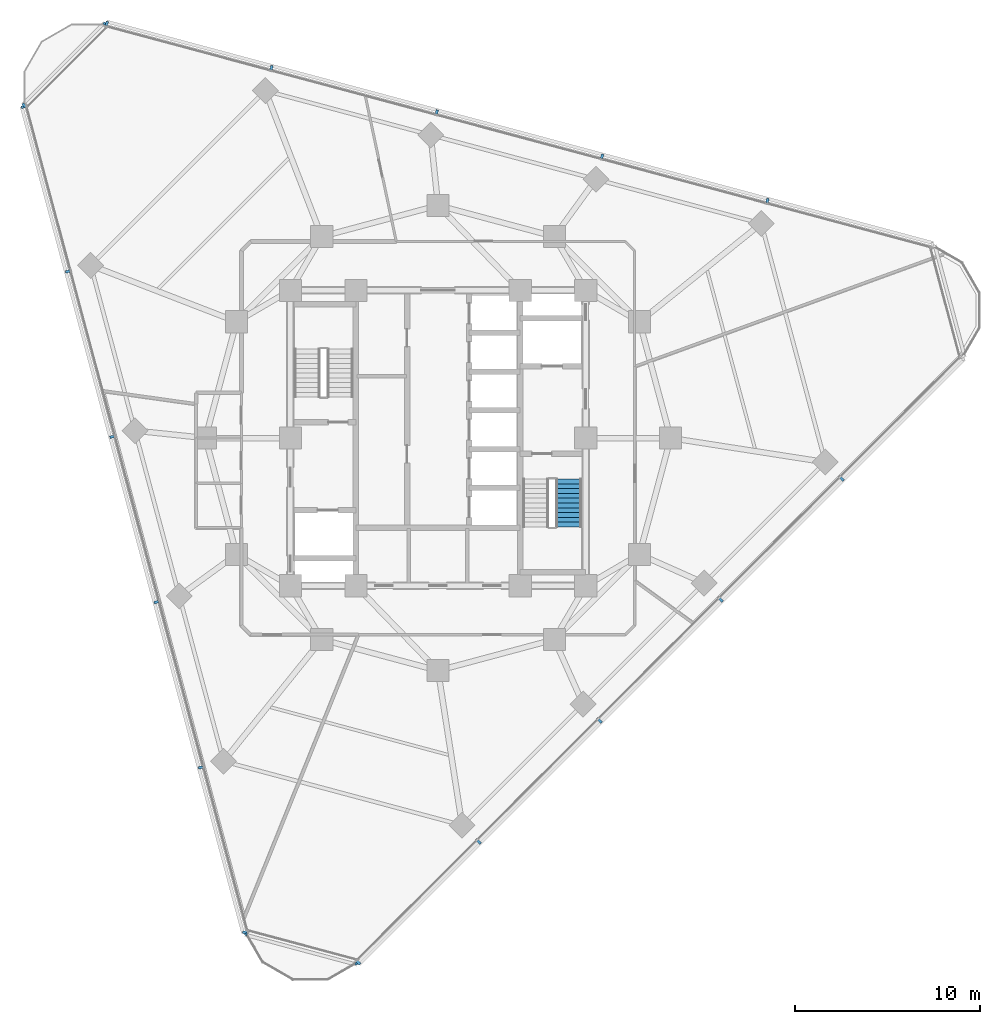
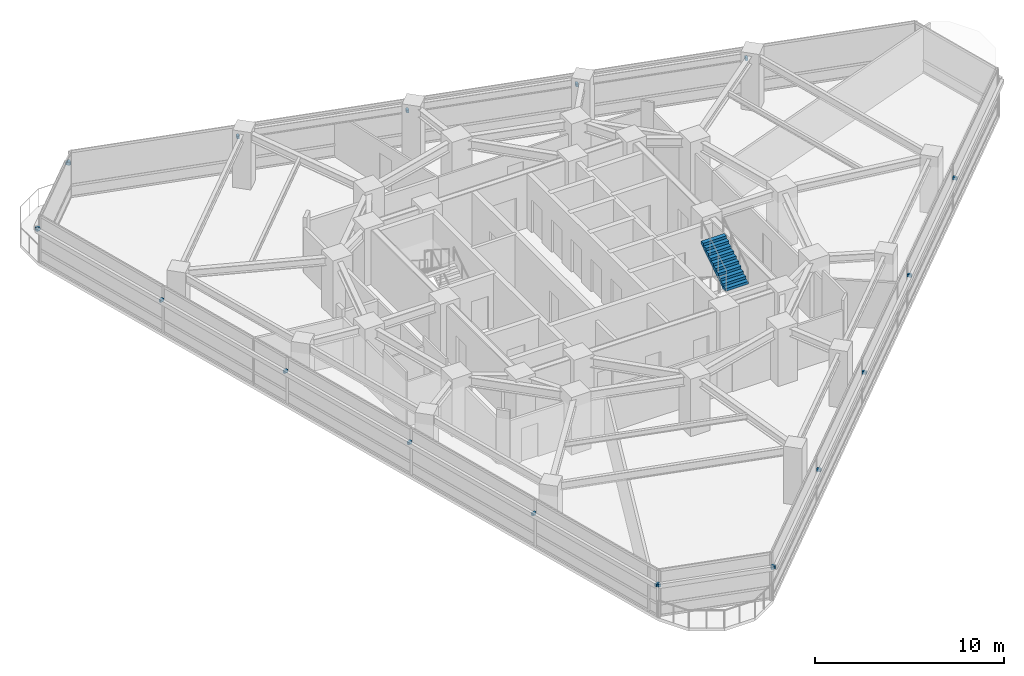
# One storey, part 9 of 13: 20 discrete accessories, 1 stair flight, 1 element without a shape of its own.
"""IFC4 building model written with IfcOpenShell, lengths in metres."""

from ifc_helpers import new_model, si_unit, direction, frame, origin, origin_2d, place, context, subcontext, project, spatial, polyline, rectangle, outline, extrude, material, type_object, element, aggregate, save


model = new_model("IFC4")

# Units and contexts
model_context = context("Model", 3, precision=1e-05, world=origin(), true_north=direction((0.0, 1.0)))
body_context = subcontext(model_context, "Body", "Model", "MODEL_VIEW")
ifc_project = project(units=[si_unit("LENGTHUNIT", "METRE"), si_unit("AREAUNIT", "SQUARE_METRE"), si_unit("VOLUMEUNIT", "CUBIC_METRE"), si_unit("PLANEANGLEUNIT", "RADIAN"), si_unit("MASSUNIT", "GRAM", prefix="KILO")], contexts=[model_context])

# Site, building, storey
site_placement = place(None, origin())
site = spatial("IfcSite", under=ifc_project, at=site_placement, CompositionType="ELEMENT")
building_placement = place(site_placement, origin())
building = spatial("IfcBuilding", under=site, at=building_placement, Name="Terralouvre Media Tower", CompositionType="ELEMENT")
storey_placement = place(building_placement, frame((0.0, 0.0, 202.699951171875)))
storey = spatial("IfcBuildingStorey", under=building, at=storey_placement, Name="L52", CompositionType="ELEMENT", Elevation=202.699951171875)

# Stair, stair flight
ifc_material_1 = material(Name="Concrete C45/55", Category="concrete")
stair_type = type_object("IfcStairType", Name="Dogleg Stair Assembly ST-02", PredefinedType="HALF_TURN_STAIR", material=ifc_material_1)
stair_placement = place(storey_placement, origin())
stair = element("IfcStair", 1, at=stair_placement, inside=storey, type_object=stair_type, Name="L52 Core Pressurised Exit Stair ST-02", PredefinedType="HALF_TURN_STAIR")
ifc_material_2 = material(Name="Concrete C45/55", Category="concrete")
stair_flight_type = type_object("IfcStairFlightType", Name="Reinforced Concrete Stair Flight SF-RC1", PredefinedType="STRAIGHT", material=ifc_material_2)
stair_flight_placement = place(storey_placement, frame((7.080078125, -4.820068359375, 1.85009765625), z_axis=(0.0, 0.0, 1.0), x_axis=(0.0, 1.0, 0.0)))
stair_flight = element("IfcStairFlight", 2, at=stair_flight_placement, type_object=stair_flight_type, Name="ST-02 flight 2", NumberOfRisers=11, NumberOfTreads=10, PredefinedType="STRAIGHT", RiserHeight=0.168181818, TreadLength=0.26, context=body_context, shape_type="SweptSolid", body=[
    extrude(outline(polyline([(0.0, 0.0), (0.0, 0.168212890625), (0.260009765625, 0.168212890625), (0.260009765625, 0.33642578125), (0.52001953125, 0.33642578125), (0.52001953125, 0.504638671875), (0.780029296875, 0.504638671875), (0.780029296875, 0.672607421875), (1.0400390625, 0.672607421875), (1.0400390625, 0.8408203125), (1.300048828125, 0.8408203125), (1.300048828125, 1.009033203125), (1.56005859375, 1.009033203125), (1.56005859375, 1.17724609375), (1.820068359375, 1.17724609375), (1.820068359375, 1.345458984375), (2.080078125, 1.345458984375), (2.080078125, 1.513671875), (2.340087890625, 1.513671875), (2.340087890625, 1.681884765625), (2.60009765625, 1.681884765625), (2.60009765625, 1.85009765625), (2.60009765625, 1.503173828125), (0.27587890625, 0.0), (0.0, 0.0)])), frame((0.0, 0.699951171875, 0.0), z_axis=(0.0, -1.0, 0.0), x_axis=(1.0, 0.0, 0.0)), (0.0, 0.0, 1.0), 1.39990234375),
])
aggregate(stair, [stair_flight])

# Discrete accessories
ifc_material_3 = material(Name="Anodised extruded aluminium 6063-T6", Category="aluminium")
discrete_accessory_type = type_object("IfcDiscreteAccessoryType", Name="Mullion Stand-Off Baguette Fixing Bracket BK-01", PredefinedType="BRACKET", material=ifc_material_3)
for number, where, z_axis, x_axis, name in (
    (3, (-4.31298828125, -28.41552734375, 2.07421875), (0.0, 0.0, 1.0), (0.707106781187, 0.707106781187, 0.0), "CW-L52-F0 Baguette Outrigger Bracket 1.01"),
    (4, (2.216796875, -21.8857421875, 2.07421875), (0.0, 0.0, 1.0), (0.707106781187, 0.707106781187, 0.0), "CW-L52-F0 Baguette Outrigger Bracket 1.02"),
    (5, (8.77294921875, -15.329345703125, 2.07421875), (0.0, 0.0, 1.0), (0.707106781187, 0.707106781187, 0.0), "CW-L52-F0 Baguette Outrigger Bracket 1.03"),
    (6, (15.329345703125, -8.77294921875, 2.07421875), (0.0, 0.0, 1.0), (0.707106781187, 0.707106781187, 0.0), "CW-L52-F0 Baguette Outrigger Bracket 1.04"),
    (7, (21.8857421875, -2.216796875, 2.07421875), (0.0, 0.0, 1.0), (0.707106781187, 0.707106781187, 0.0), "CW-L52-F0 Baguette Outrigger Bracket 1.05"),
    (8, (17.84521484375, 12.862548828125, 2.07421875), (0.0, 0.0, 1.0), (-0.96592582942, 0.25881903342, 0.0), "CW-L52-F1 Baguette Outrigger Bracket 1.02"),
    (9, (8.88916015625, 15.262451171875, 2.07421875), (0.0, 0.0, 1.0), (-0.96592582942, 0.25881903342, 0.0), "CW-L52-F1 Baguette Outrigger Bracket 1.03"),
    (10, (-0.06689453125, 17.662109375, 2.07421875), (0.0, 0.0, 1.0), (-0.96592582942, 0.25881903342, 0.0), "CW-L52-F1 Baguette Outrigger Bracket 1.04"),
    (11, (-9.02294921875, 20.06201171875, 2.07421875), (0.0, 0.0, 1.0), (-0.96592582942, 0.25881903342, 0.0), "CW-L52-F1 Baguette Outrigger Bracket 1.05"),
    (12, (-17.94287109375, 22.451904296875, 2.07421875), (0.0, 0.0, 1.0), (-0.96592582942, 0.25881903342, 0.0), "CW-L52-F1 Baguette Outrigger Bracket 1.06"),
    (13, (-22.451904296875, 17.94287109375, 2.07421875), (0.0, 0.0, 1.0), (0.25881903342, -0.96592582942, 0.0), "CW-L52-F2 Baguette Outrigger Bracket 1.01"),
    (14, (-20.06201171875, 9.02294921875, 2.07421875), (0.0, 0.0, 1.0), (0.25881903342, -0.96592582942, 0.0), "CW-L52-F2 Baguette Outrigger Bracket 1.02"),
    (15, (-17.662109375, 0.06689453125, 2.07421875), (0.0, 0.0, 1.0), (0.25881903342, -0.96592582942, 0.0), "CW-L52-F2 Baguette Outrigger Bracket 1.03"),
    (16, (-15.262451171875, -8.88916015625, 2.07421875), (0.0, 0.0, 1.0), (0.25881903342, -0.96592582942, 0.0), "CW-L52-F2 Baguette Outrigger Bracket 1.04"),
    (17, (-12.862548828125, -17.84521484375, 2.07421875), (0.0, 0.0, 1.0), (0.25881903342, -0.96592582942, 0.0), "CW-L52-F2 Baguette Outrigger Bracket 1.05"),
    (18, (-10.472412109375, -26.764892578125, 2.07421875), (0.0, 0.0, 1.0), (0.25881903342, -0.96592582942, 0.0), "CW-L52-F2 Baguette Outrigger Bracket 1.06"),
    (19, (-10.39306640625, -26.81982421875, 2.07421875), (0.0, 0.0, 1.0), (0.965925911218, -0.258818728144, 0.0), "CW-L52-C0 Baguette Outrigger Bracket 1.01"),
    (20, (-4.4091796875, -28.42333984375, 2.07421875), (0.0, 0.0, 1.0), (0.965925911218, -0.258818728144, 0.0), "CW-L52-C0 Baguette Outrigger Bracket 1.02"),
    (21, (-18.030029296875, 22.41064453125, 2.07421875), (0.0, 0.0, 1.0), (-0.707106781187, -0.707106781187, 0.0), "CW-L52-C2 Baguette Outrigger Bracket 1.01"),
    (22, (-22.41064453125, 18.030029296875, 2.07421875), (0.0, 0.0, 1.0), (-0.707106781187, -0.707106781187, 0.0), "CW-L52-C2 Baguette Outrigger Bracket 1.02"),
):
    element("IfcDiscreteAccessory", number, at=place(storey_placement, frame(where, z_axis=z_axis, x_axis=x_axis)), inside=storey, type_object=discrete_accessory_type, Name=name, PredefinedType="BRACKET", context=body_context, shape_type="SweptSolid", body=[
        extrude(rectangle(XDim=0.139892578125, YDim=0.239990234375, at=origin_2d()), origin(), (0.0, 0.0, 1.0), 0.179931640625),
    ])

save(model, "model.ifc")
